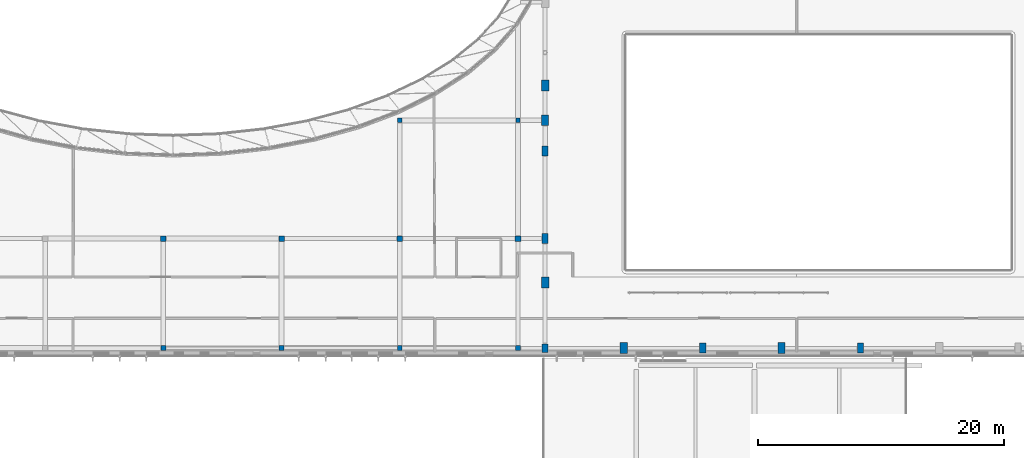
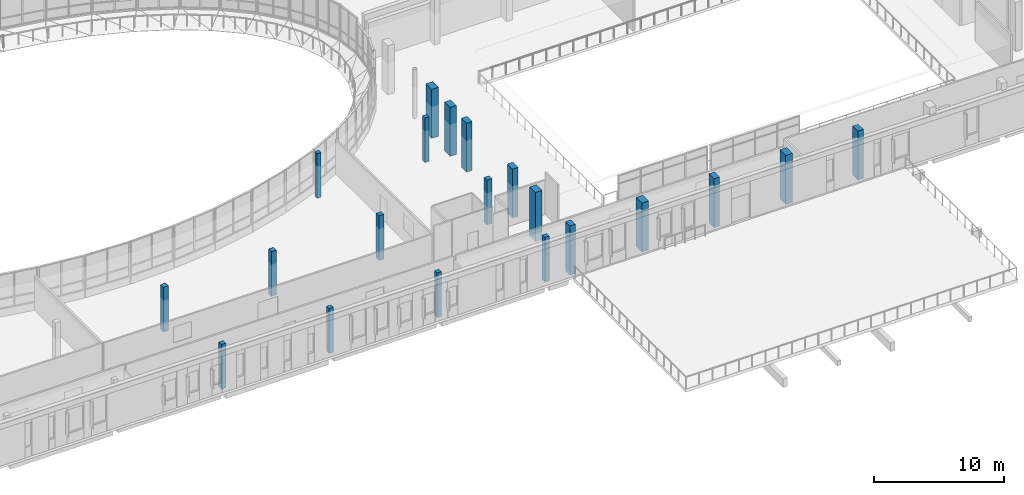
# One storey, part 3 of 73: 20 columns.
"""IFC4 building model written with IfcOpenShell, lengths in metres."""

from ifc_helpers import new_model, si_unit, direction, frame, origin, origin_2d, place, context, subcontext, project, spatial, rectangle, extrude, material, material_profile, profile_set, type_object, element, save


model = new_model("IFC4")

# Units and contexts
model_context = context("Model", 3, precision=1e-05, world=origin(), true_north=direction((0.0, 1.0)))
body_context = subcontext(model_context, "Body", "Model", "MODEL_VIEW")
ifc_project = project(units=[si_unit("LENGTHUNIT", "METRE"), si_unit("AREAUNIT", "SQUARE_METRE"), si_unit("VOLUMEUNIT", "CUBIC_METRE"), si_unit("PLANEANGLEUNIT", "RADIAN"), si_unit("MASSUNIT", "GRAM", prefix="KILO")], contexts=[model_context])

# Site, building, storey
site_placement = place(None, origin())
site = spatial("IfcSite", under=ifc_project, at=site_placement, CompositionType="ELEMENT")
building_placement = place(site_placement, origin())
building = spatial("IfcBuilding", under=site, at=building_placement, Name="Mzevani Central Library", CompositionType="ELEMENT")
storey_placement = place(building_placement, frame((0.0, 0.0, 9.60009765625)))
storey = spatial("IfcBuildingStorey", under=building, at=storey_placement, Name="L02", CompositionType="ELEMENT", Elevation=9.60009765625)

# Columns
ifc_material = material(Name="Concrete C40/50", Category="concrete")
ifc_material_profile_1 = material_profile(ifc_material, rectangle(XDim=0.35009765625, YDim=0.35009765625, at=origin_2d()), Name="RC 350x350")
ifc_profile_set_1 = profile_set([ifc_material_profile_1], Name="Concrete C40/50")
column_type_1 = type_object("IfcColumnType", Name="Column RC 350x350", PredefinedType="COLUMN", material=ifc_profile_set_1)
for number, where, z_axis, x_axis, name in (
    (1, (102.39990234375, 61.60009765625, 0.0), (0.0, 0.0, 1.0), (1.0, 0.0, 0.0), "L02 V1 Column C-01 (21)"),
    (2, (112.0, 61.60009765625, 0.0), (0.0, 0.0, 1.0), (1.0, 0.0, 0.0), "L02 V1 Column C-01 (24)"),
):
    element("IfcColumn", number, at=place(storey_placement, frame(where, z_axis=z_axis, x_axis=x_axis)), inside=storey, type_object=column_type_1, Name=name, PredefinedType="COLUMN", context=body_context, shape_type="SweptSolid", body=[
        extrude(rectangle(XDim=0.35009765625, YDim=0.35009765625, at=origin_2d()), origin(), (0.0, 0.0, 1.0), 4.199951171875),
    ])
ifc_material_profile_2 = material_profile(ifc_material, rectangle(XDim=0.39990234375, YDim=0.39990234375, at=origin_2d()), Name="RC 400x400")
ifc_profile_set_2 = profile_set([ifc_material_profile_2], Name="Concrete C40/50")
column_type_2 = type_object("IfcColumnType", Name="Column RC 400x400", PredefinedType="COLUMN", material=ifc_profile_set_2)
for number, where, z_axis, x_axis, name in (
    (3, (83.199951171875, 43.10009765625, 0.0), (0.0, 0.0, 1.0), (1.0, 0.0, 0.0), "L02 V1 Column C-02 (13)"),
    (4, (92.800048828125, 43.10009765625, 0.0), (0.0, 0.0, 1.0), (1.0, 0.0, 0.0), "L02 V1 Column C-02 (16)"),
    (5, (102.39990234375, 43.10009765625, 0.0), (0.0, 0.0, 1.0), (1.0, 0.0, 0.0), "L02 V1 Column C-02 (19)"),
    (6, (112.0, 43.10009765625, 0.0), (0.0, 0.0, 1.0), (1.0, 0.0, 0.0), "L02 V1 Column C-02 (22)"),
):
    element("IfcColumn", number, at=place(storey_placement, frame(where, z_axis=z_axis, x_axis=x_axis)), inside=storey, type_object=column_type_2, Name=name, PredefinedType="COLUMN", context=body_context, shape_type="SweptSolid", body=[
        extrude(rectangle(XDim=0.39990234375, YDim=0.39990234375, at=origin_2d()), origin(), (0.0, 0.0, 1.0), 4.199951171875),
    ])
ifc_material_profile_3 = material_profile(ifc_material, rectangle(XDim=0.449951171875, YDim=0.449951171875, at=origin_2d()), Name="RC 450x450")
ifc_profile_set_3 = profile_set([ifc_material_profile_3], Name="Concrete C40/50")
column_type_3 = type_object("IfcColumnType", Name="Column RC 450x450", PredefinedType="COLUMN", material=ifc_profile_set_3)
for number, where, z_axis, x_axis, name in (
    (7, (83.199951171875, 52.0, 0.0), (0.0, 0.0, 1.0), (1.0, 0.0, 0.0), "L02 V1 Column C-03 (14)"),
    (8, (92.800048828125, 52.0, 0.0), (0.0, 0.0, 1.0), (1.0, 0.0, 0.0), "L02 V1 Column C-03 (17)"),
    (9, (102.39990234375, 52.0, 0.0), (0.0, 0.0, 1.0), (1.0, 0.0, 0.0), "L02 V1 Column C-03 (20)"),
    (10, (112.0, 52.0, 0.0), (0.0, 0.0, 1.0), (1.0, 0.0, 0.0), "L02 V1 Column C-03 (23)"),
):
    element("IfcColumn", number, at=place(storey_placement, frame(where, z_axis=z_axis, x_axis=x_axis)), inside=storey, type_object=column_type_3, Name=name, PredefinedType="COLUMN", context=body_context, shape_type="SweptSolid", body=[
        extrude(rectangle(XDim=0.449951171875, YDim=0.449951171875, at=origin_2d()), origin(), (0.0, 0.0, 1.0), 4.199951171875),
    ])
ifc_material_profile_4 = material_profile(ifc_material, rectangle(XDim=0.5, YDim=0.699951171875, at=origin_2d()), Name="RC 500x700")
ifc_profile_set_4 = profile_set([ifc_material_profile_4], Name="Concrete C40/50")
column_type_4 = type_object("IfcColumnType", Name="Column RC 500x700", PredefinedType="COLUMN", material=ifc_profile_set_4)
column_1_placement = place(storey_placement, frame((114.199951171875, 43.10009765625, 0.0), z_axis=(0.0, 0.0, 1.0), x_axis=(1.0, 0.0, 0.0)))
element("IfcColumn", 11, at=column_1_placement, inside=storey, type_object=column_type_4, Name="L02 V1 Column C-14 (27)", PredefinedType="COLUMN", context=body_context, shape_type="SweptSolid", body=[
    extrude(rectangle(XDim=0.5, YDim=0.699951171875, at=origin_2d()), origin(), (0.0, 0.0, 1.0), 4.599853515625),
])
ifc_material_profile_5 = material_profile(ifc_material, rectangle(XDim=0.5, YDim=0.800048828125, at=origin_2d()), Name="RC 500x800")
ifc_profile_set_5 = profile_set([ifc_material_profile_5], Name="Concrete C40/50")
column_type_5 = type_object("IfcColumnType", Name="Column RC 500x800", PredefinedType="COLUMN", material=ifc_profile_set_5)
for number, where, z_axis, x_axis, name in (
    (12, (114.199951171875, 52.0, 0.0), (0.0, 0.0, 1.0), (1.0, 0.0, 0.0), "L02 V1 Column C-15 (28)"),
    (13, (127.0, 43.10009765625, 0.0), (0.0, 0.0, 1.0), (1.0, 0.0, 0.0), "L02 V1 Column C-15 (40)"),
    (14, (139.800048828125, 43.10009765625, 0.0), (0.0, 0.0, 1.0), (1.0, 0.0, 0.0), "L02 V1 Column C-15 (44)"),
    (15, (114.199951171875, 59.10009765625, 0.0), (0.0, 0.0, 1.0), (1.0, 0.0, 0.0), "L02 V1 Column C-15 (52)"),
):
    element("IfcColumn", number, at=place(storey_placement, frame(where, z_axis=z_axis, x_axis=x_axis)), inside=storey, type_object=column_type_5, Name=name, PredefinedType="COLUMN", context=body_context, shape_type="SweptSolid", body=[
        extrude(rectangle(XDim=0.5, YDim=0.800048828125, at=origin_2d()), origin(), (0.0, 0.0, 1.0), 4.599853515625),
    ])
ifc_material_profile_6 = material_profile(ifc_material, rectangle(XDim=0.550048828125, YDim=0.85009765625, at=origin_2d()), Name="RC 550x850")
ifc_profile_set_6 = profile_set([ifc_material_profile_6], Name="Concrete C40/50")
column_type_6 = type_object("IfcColumnType", Name="Column RC 550x850", PredefinedType="COLUMN", material=ifc_profile_set_6)
column_2_placement = place(storey_placement, frame((114.199951171875, 61.60009765625, 0.0), z_axis=(0.0, 0.0, 1.0), x_axis=(1.0, 0.0, 0.0)))
element("IfcColumn", 16, at=column_2_placement, inside=storey, type_object=column_type_6, Name="L02 V1 Column C-16 (29)", PredefinedType="COLUMN", context=body_context, shape_type="SweptSolid", body=[
    extrude(rectangle(XDim=0.550048828125, YDim=0.85009765625, at=origin_2d()), origin(), (0.0, 0.0, 1.0), 4.599853515625),
])
ifc_material_profile_7 = material_profile(ifc_material, rectangle(XDim=0.60009765625, YDim=0.89990234375, at=origin_2d()), Name="RC 600x900")
ifc_profile_set_7 = profile_set([ifc_material_profile_7], Name="Concrete C40/50")
column_type_7 = type_object("IfcColumnType", Name="Column RC 600x900", PredefinedType="COLUMN", material=ifc_profile_set_7)
for number, where, z_axis, x_axis, name in (
    (17, (120.60009765625, 43.10009765625, 0.0), (0.0, 0.0, 1.0), (1.0, 0.0, 0.0), "L02 V1 Column C-17 (38)"),
    (18, (133.39990234375, 43.10009765625, 0.0), (0.0, 0.0, 1.0), (1.0, 0.0, 0.0), "L02 V1 Column C-17 (42)"),
    (19, (114.199951171875, 48.43310546875, 0.0), (0.0, 0.0, 1.0), (1.0, 0.0, 0.0), "L02 V1 Column C-17 (50)"),
    (20, (114.199951171875, 64.43310546875, 0.0), (0.0, 0.0, 1.0), (1.0, 0.0, 0.0), "L02 V1 Column C-17 (54)"),
):
    element("IfcColumn", number, at=place(storey_placement, frame(where, z_axis=z_axis, x_axis=x_axis)), inside=storey, type_object=column_type_7, Name=name, PredefinedType="COLUMN", context=body_context, shape_type="SweptSolid", body=[
        extrude(rectangle(XDim=0.60009765625, YDim=0.89990234375, at=origin_2d()), origin(), (0.0, 0.0, 1.0), 4.599853515625),
    ])

save(model, "model.ifc")
